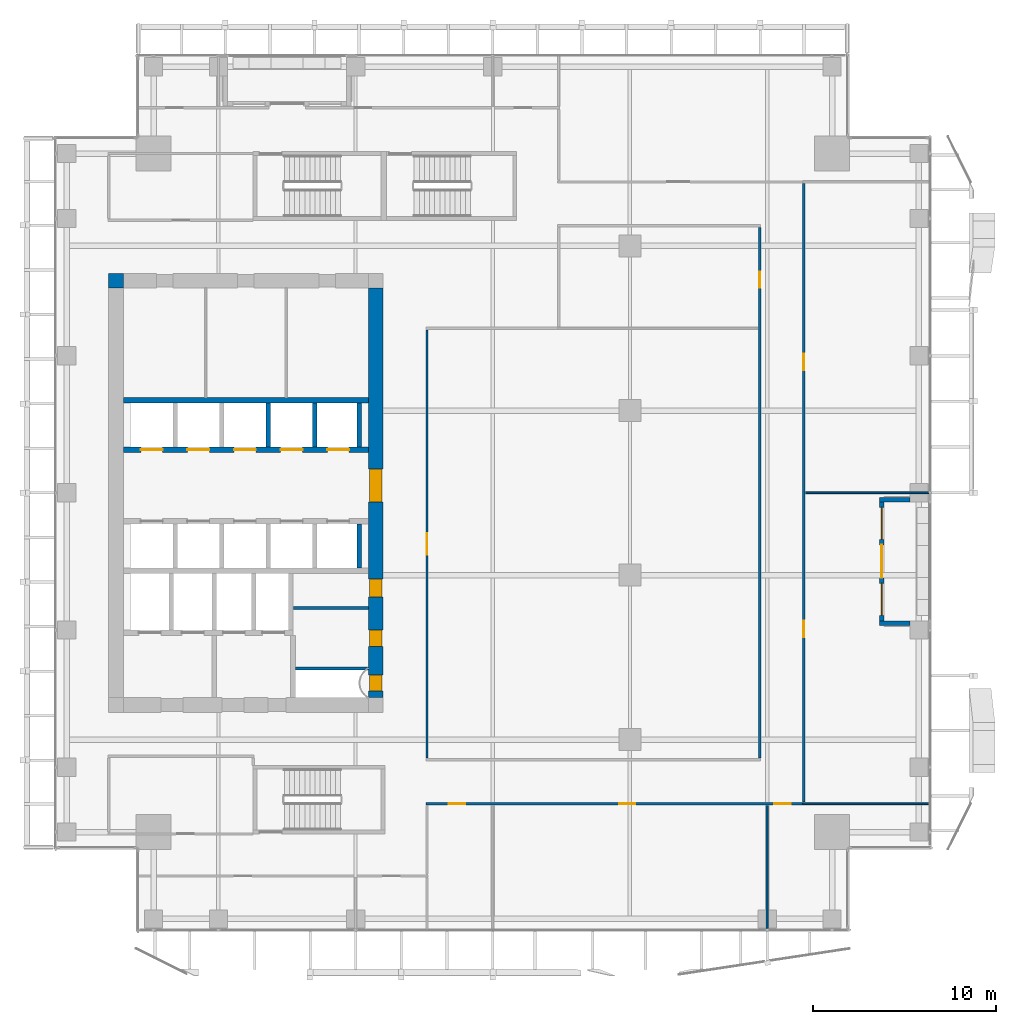
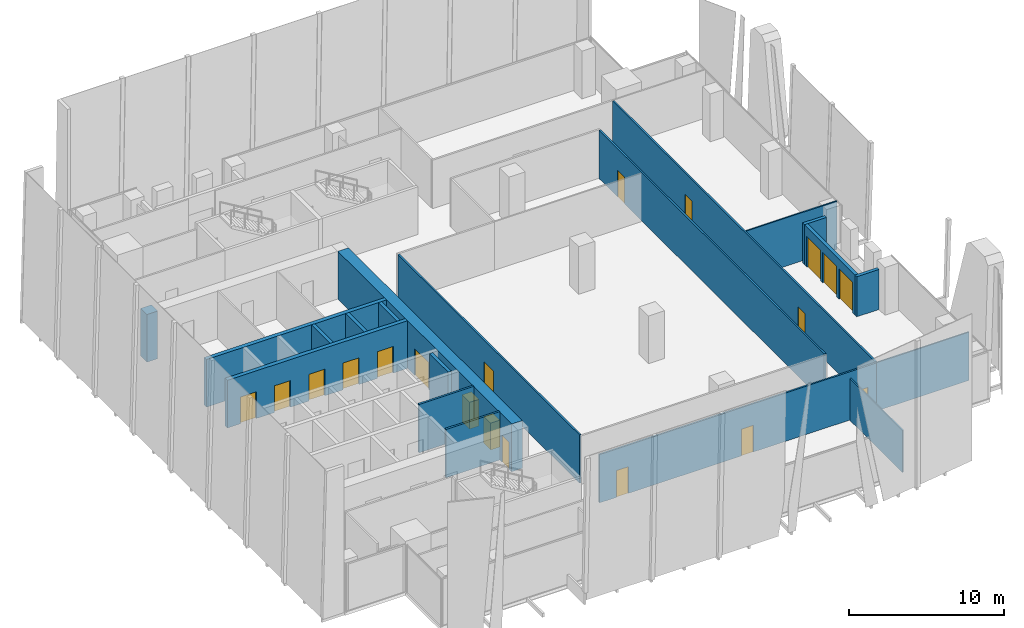
# One storey, part 29 of 35: 20 walls, 17 doors, 2 windows, 19 openings.
"""IFC4 building model written with IfcOpenShell, lengths in metres."""

from ifc_helpers import new_model, si_unit, direction, frame, frame_2d, origin, place, context, subcontext, project, spatial, rectangle, extrude, source, transform, mapped, material, layer, layer_set, type_object, element, fill, save


model = new_model("IFC4")

# Units and contexts
model_context = context("Model", 3, precision=1e-05, world=origin(), true_north=direction((0.0, 1.0)))
body_context = subcontext(model_context, "Body", "Model", "MODEL_VIEW")
ifc_project = project(units=[si_unit("LENGTHUNIT", "METRE"), si_unit("AREAUNIT", "SQUARE_METRE"), si_unit("VOLUMEUNIT", "CUBIC_METRE"), si_unit("PLANEANGLEUNIT", "RADIAN"), si_unit("MASSUNIT", "GRAM", prefix="KILO")], contexts=[model_context])

# Site, building, storey
site_placement = place(None, origin())
site = spatial("IfcSite", under=ifc_project, at=site_placement, CompositionType="ELEMENT")
building_placement = place(site_placement, origin())
building = spatial("IfcBuilding", under=site, at=building_placement, Name="Khomas Fold Tower", CompositionType="ELEMENT")
storey_placement = place(building_placement, frame((0.0, 0.0, 200.699951171875)))
storey = spatial("IfcBuildingStorey", under=building, at=storey_placement, Name="L44", CompositionType="ELEMENT", Elevation=200.699951171875)

# Wall
ifc_material_1 = material(Name="Concrete C60/75", Category="concrete")
ifc_layer_1 = layer(ifc_material_1, 0.800048828125)
ifc_layer_set_1 = layer_set([ifc_layer_1], Name="Concrete C60/75")
wall_type_1 = type_object("IfcWallType", Name="Core corner wall 800", PredefinedType="SHEAR", material=ifc_layer_set_1)
shared_shape_1 = source(origin(), body_context, "Body", "SweptSolid", [
    extrude(rectangle(XDim=0.800048828125, YDim=0.800048828125, at=frame_2d((0.39990234375, 0.0))), origin(), (0.0, 0.0, 1.0), 3.75),
])
wall_1_placement = place(storey_placement, frame((6.0, 38.60009765625, 0.0), z_axis=(0.0, 0.0, 1.0), x_axis=(1.0, 0.0, 0.0)))
element("IfcWall", 1, at=wall_1_placement, inside=storey, type_object=wall_type_1, Name="Core wall CW-U-NW-L35", PredefinedType="SHEAR", context=body_context, shape_type="MappedRepresentation", body=[
    mapped(shared_shape_1, transform((0.0, 0.0, 0.0))),
])

# Wall, openings, doors
ifc_material_2 = material(Name="Concrete C60/75", Category="concrete")
ifc_layer_2 = layer(ifc_material_2, 0.800048828125)
ifc_layer_set_2 = layer_set([ifc_layer_2], Name="Concrete C60/75")
wall_type_2 = type_object("IfcWallType", Name="Core wall 800", PredefinedType="SHEAR", material=ifc_layer_set_2)
shared_shape_2 = source(origin(), body_context, "Body", "SweptSolid", [
    extrude(rectangle(XDim=22.39990234375, YDim=0.800048828125, at=frame_2d((11.199951171875, 0.0))), origin(), (0.0, 0.0, 1.0), 3.75),
])
wall_2_placement = place(storey_placement, frame((20.60009765625, 15.800048828125, 0.0), z_axis=(0.0, 0.0, 1.0), x_axis=(0.0, 1.0, 0.0)))
wall_2 = element("IfcWall", 2, at=wall_2_placement, inside=storey, type_object=wall_type_2, Name="Core wall CW-U-E-L35", PredefinedType="SHEAR", context=body_context, shape_type="MappedRepresentation", body=[
    mapped(shared_shape_2, transform((0.0, 0.0, 0.0))),
])
shared_shape_3 = source(origin(), body_context, "Body", "SweptSolid", [
    extrude(rectangle(XDim=1.800048828125, YDim=2.10009765625, at=frame_2d((0.89990234375, 1.050048828125))), frame((0.0, 0.409912109375, 0.0), z_axis=(0.0, -1.0, 0.0), x_axis=(1.0, 0.0, 0.0)), (0.0, 0.0, 1.0), 0.820068359375),
])
opening_1_placement = place(wall_2_placement, frame((10.699951171875, 0.0, 0.0)))
opening_1 = element("IfcOpeningElement", 3, at=opening_1_placement, cuts=wall_2, Name="Opening 0015", PredefinedType="OPENING", context=body_context, shape_type="MappedRepresentation", body=[
    mapped(shared_shape_3, transform((0.0, 0.0, 0.0))),
])
shared_shape_4 = source(origin(), body_context, "Body", "SweptSolid", [
    extrude(rectangle(XDim=0.89990234375, YDim=2.10009765625, at=frame_2d((0.449951171875, 1.050048828125))), frame((0.0, 0.409912109375, 0.0), z_axis=(0.0, -1.0, 0.0), x_axis=(1.0, 0.0, 0.0)), (0.0, 0.0, 1.0), 0.820068359375),
])
opening_2_placement = place(wall_2_placement, frame((0.35009765625, 0.0, 0.0)))
opening_2 = element("IfcOpeningElement", 4, at=opening_2_placement, cuts=wall_2, Name="Opening 0003", PredefinedType="OPENING", context=body_context, shape_type="MappedRepresentation", body=[
    mapped(shared_shape_4, transform((0.0, 0.0, 0.0))),
])
opening_3_placement = place(wall_2_placement, frame((2.800048828125, 0.0, 0.0)))
opening_3 = element("IfcOpeningElement", 5, at=opening_3_placement, cuts=wall_2, Name="Opening 0003", PredefinedType="OPENING", context=body_context, shape_type="MappedRepresentation", body=[
    mapped(shared_shape_4, transform((0.0, 0.0, 0.0))),
])
shared_shape_5 = source(origin(), body_context, "Body", "SweptSolid", [
    extrude(rectangle(XDim=1.0, YDim=2.10009765625, at=frame_2d((0.5, 1.050048828125))), frame((0.0, 0.409912109375, 0.0), z_axis=(0.0, -1.0, 0.0), x_axis=(1.0, 0.0, 0.0)), (0.0, 0.0, 1.0), 0.820068359375),
])
opening_4_placement = place(wall_2_placement, frame((5.5, 0.0, 0.0)))
opening_4 = element("IfcOpeningElement", 6, at=opening_4_placement, cuts=wall_2, Name="Opening 0006", PredefinedType="OPENING", context=body_context, shape_type="MappedRepresentation", body=[
    mapped(shared_shape_5, transform((0.0, 0.0, 0.0))),
])
ifc_material_3 = material(Name="Steel door leaf", Category="steel")
door_type_1 = type_object("IfcDoorType", Name="Lobby door 1800x2100", OperationType="DOUBLE_DOOR_SINGLE_SWING", PredefinedType="DOOR", material=ifc_material_3)
shared_shape_6 = source(origin(), body_context, "Body", "SweptSolid", [
    extrude(rectangle(XDim=1.800048828125, YDim=2.10009765625, at=frame_2d((0.89990234375, 1.050048828125))), frame((0.0, 0.35009765625, 0.0), z_axis=(0.0, -1.0, 0.0), x_axis=(1.0, 0.0, 0.0)), (0.0, 0.0, 1.0), 0.699951171875),
])
door_1_placement = place(opening_1_placement, origin())
door_1 = element("IfcDoor", 7, at=door_1_placement, inside=storey, type_object=door_type_1, Name="Lobby door", OperationType="DOUBLE_DOOR_SINGLE_SWING", OverallHeight=2.10009765625, OverallWidth=1.800048828125, PredefinedType="DOOR", context=body_context, shape_type="MappedRepresentation", body=[
    mapped(shared_shape_6, transform((0.0, 0.0, 0.0))),
])
fill(opening_1, door_1)
ifc_material_4 = material(Name="Steel door leaf", Category="steel")
door_type_2 = type_object("IfcDoorType", Name="Plant room door 900x2100 right-hand", OperationType="SINGLE_SWING_RIGHT", PredefinedType="DOOR", material=ifc_material_4)
shared_shape_7 = source(origin(), body_context, "Body", "SweptSolid", [
    extrude(rectangle(XDim=0.89990234375, YDim=2.10009765625, at=frame_2d((0.449951171875, 1.050048828125))), frame((0.0, 0.35009765625, 0.0), z_axis=(0.0, -1.0, 0.0), x_axis=(1.0, 0.0, 0.0)), (0.0, 0.0, 1.0), 0.699951171875),
])
door_2_placement = place(opening_2_placement, origin())
door_2 = element("IfcDoor", 8, at=door_2_placement, inside=storey, type_object=door_type_2, Name="Plant room door", OperationType="SINGLE_SWING_RIGHT", OverallHeight=2.10009765625, OverallWidth=0.89990234375, PredefinedType="DOOR", context=body_context, shape_type="MappedRepresentation", body=[
    mapped(shared_shape_7, transform((0.0, 0.0, 0.0))),
])
fill(opening_2, door_2)
door_3_placement = place(opening_3_placement, origin())
door_3 = element("IfcDoor", 9, at=door_3_placement, inside=storey, type_object=door_type_2, Name="Plant room door", OperationType="SINGLE_SWING_RIGHT", OverallHeight=2.10009765625, OverallWidth=0.89990234375, PredefinedType="DOOR", context=body_context, shape_type="MappedRepresentation", body=[
    mapped(shared_shape_7, transform((0.0, 0.0, 0.0))),
])
fill(opening_3, door_3)
ifc_material_5 = material(Name="Timber door leaf", Category="wood")
door_type_3 = type_object("IfcDoorType", Name="WC door 1000x2100 right-hand", OperationType="SINGLE_SWING_RIGHT", PredefinedType="DOOR", material=ifc_material_5)
shared_shape_8 = source(origin(), body_context, "Body", "SweptSolid", [
    extrude(rectangle(XDim=1.0, YDim=2.10009765625, at=frame_2d((0.5, 1.050048828125))), frame((0.0, 0.35009765625, 0.0), z_axis=(0.0, -1.0, 0.0), x_axis=(1.0, 0.0, 0.0)), (0.0, 0.0, 1.0), 0.699951171875),
])
door_4_placement = place(opening_4_placement, origin())
door_4 = element("IfcDoor", 10, at=door_4_placement, inside=storey, type_object=door_type_3, Name="WC door", OperationType="SINGLE_SWING_RIGHT", OverallHeight=2.10009765625, OverallWidth=1.0, PredefinedType="DOOR", context=body_context, shape_type="MappedRepresentation", body=[
    mapped(shared_shape_8, transform((0.0, 0.0, 0.0))),
])
fill(opening_4, door_4)

# Wall
ifc_material_6 = material(Name="Concrete C50/60", Category="concrete")
ifc_layer_3 = layer(ifc_material_6, 0.300048828125)
ifc_layer_set_3 = layer_set([ifc_layer_3], Name="Concrete C50/60")
wall_type_3 = type_object("IfcWallType", Name="Shaft wall 300", PredefinedType="STANDARD", material=ifc_layer_set_3)
shared_shape_9 = source(origin(), body_context, "Body", "SweptSolid", [
    extrude(rectangle(XDim=13.39990234375, YDim=0.300048828125, at=frame_2d((6.699951171875, 0.0))), origin(), (0.0, 0.0, 1.0), 3.75),
])
wall_3_placement = place(storey_placement, frame((6.800048828125, 32.050048828125, 0.0), z_axis=(0.0, 0.0, 1.0), x_axis=(1.0, 0.0, 0.0)))
element("IfcWall", 11, at=wall_3_placement, inside=storey, type_object=wall_type_3, Name="Core wall SW-HRN-B", PredefinedType="STANDARD", context=body_context, shape_type="MappedRepresentation", body=[
    mapped(shared_shape_9, transform((0.0, 0.0, 0.0))),
])

# Wall, openings, doors
wall_4_placement = place(storey_placement, frame((6.800048828125, 29.35009765625, 0.0), z_axis=(0.0, 0.0, 1.0), x_axis=(1.0, 0.0, 0.0)))
wall_4 = element("IfcWall", 12, at=wall_4_placement, inside=storey, type_object=wall_type_3, Name="Core wall SW-HRN-F", PredefinedType="STANDARD", context=body_context, shape_type="MappedRepresentation", body=[
    mapped(shared_shape_9, transform((0.0, 0.0, 0.0))),
])
shared_shape_10 = source(origin(), body_context, "Body", "SweptSolid", [
    extrude(rectangle(XDim=1.199951171875, YDim=2.10009765625, at=frame_2d((0.60009765625, 1.050048828125))), frame((0.0, 0.159912109375, 0.0), z_axis=(0.0, -1.0, 0.0), x_axis=(1.0, 0.0, 0.0)), (0.0, 0.0, 1.0), 0.320068359375),
])
opening_5_placement = place(wall_4_placement, frame((0.949951171875, 0.0, 0.0)))
opening_5 = element("IfcOpeningElement", 13, at=opening_5_placement, cuts=wall_4, Name="Opening LD-HR4", PredefinedType="OPENING", context=body_context, shape_type="MappedRepresentation", body=[
    mapped(shared_shape_10, transform((0.0, 0.0, 0.0))),
])
opening_6_placement = place(wall_4_placement, frame((3.5, 0.0, 0.0)))
opening_6 = element("IfcOpeningElement", 14, at=opening_6_placement, cuts=wall_4, Name="Opening LD-HR5", PredefinedType="OPENING", context=body_context, shape_type="MappedRepresentation", body=[
    mapped(shared_shape_10, transform((0.0, 0.0, 0.0))),
])
opening_7_placement = place(wall_4_placement, frame((6.050048828125, 0.0, 0.0)))
opening_7 = element("IfcOpeningElement", 15, at=opening_7_placement, cuts=wall_4, Name="Opening LD-HR6", PredefinedType="OPENING", context=body_context, shape_type="MappedRepresentation", body=[
    mapped(shared_shape_10, transform((0.0, 0.0, 0.0))),
])
opening_8_placement = place(wall_4_placement, frame((8.60009765625, 0.0, 0.0)))
opening_8 = element("IfcOpeningElement", 16, at=opening_8_placement, cuts=wall_4, Name="Opening LD-MR3", PredefinedType="OPENING", context=body_context, shape_type="MappedRepresentation", body=[
    mapped(shared_shape_10, transform((0.0, 0.0, 0.0))),
])
opening_9_placement = place(wall_4_placement, frame((11.14990234375, 0.0, 0.0)))
opening_9 = element("IfcOpeningElement", 17, at=opening_9_placement, cuts=wall_4, Name="Opening LD-MR4", PredefinedType="OPENING", context=body_context, shape_type="MappedRepresentation", body=[
    mapped(shared_shape_10, transform((0.0, 0.0, 0.0))),
])
ifc_material_7 = material(Name="Steel door leaf", Category="steel")
door_type_4 = type_object("IfcDoorType", Name="Landing door 1200x2100", OperationType="DOUBLE_DOOR_SLIDING", PredefinedType="DOOR", material=ifc_material_7)
shared_shape_11 = source(origin(), body_context, "Body", "SweptSolid", [
    extrude(rectangle(XDim=1.199951171875, YDim=2.10009765625, at=frame_2d((0.60009765625, 1.050048828125))), frame((0.0, 0.02490234375, 0.0), z_axis=(0.0, -1.0, 0.0), x_axis=(1.0, 0.0, 0.0)), (0.0, 0.0, 1.0), 0.050048828125),
])
door_5_placement = place(opening_5_placement, origin())
door_5 = element("IfcDoor", 18, at=door_5_placement, inside=storey, type_object=door_type_4, Name="Lift landing door", OperationType="DOUBLE_DOOR_SLIDING", OverallHeight=2.10009765625, OverallWidth=1.199951171875, PredefinedType="DOOR", context=body_context, shape_type="MappedRepresentation", body=[
    mapped(shared_shape_11, transform((0.0, 0.0, 0.0))),
])
fill(opening_5, door_5)
door_6_placement = place(opening_6_placement, origin())
door_6 = element("IfcDoor", 19, at=door_6_placement, inside=storey, type_object=door_type_4, Name="Lift landing door", OperationType="DOUBLE_DOOR_SLIDING", OverallHeight=2.10009765625, OverallWidth=1.199951171875, PredefinedType="DOOR", context=body_context, shape_type="MappedRepresentation", body=[
    mapped(shared_shape_11, transform((0.0, 0.0, 0.0))),
])
fill(opening_6, door_6)
door_7_placement = place(opening_7_placement, origin())
door_7 = element("IfcDoor", 20, at=door_7_placement, inside=storey, type_object=door_type_4, Name="Lift landing door", OperationType="DOUBLE_DOOR_SLIDING", OverallHeight=2.10009765625, OverallWidth=1.199951171875, PredefinedType="DOOR", context=body_context, shape_type="MappedRepresentation", body=[
    mapped(shared_shape_11, transform((0.0, 0.0, 0.0))),
])
fill(opening_7, door_7)
door_8_placement = place(opening_8_placement, origin())
door_8 = element("IfcDoor", 21, at=door_8_placement, inside=storey, type_object=door_type_4, Name="Lift landing door", OperationType="DOUBLE_DOOR_SLIDING", OverallHeight=2.10009765625, OverallWidth=1.199951171875, PredefinedType="DOOR", context=body_context, shape_type="MappedRepresentation", body=[
    mapped(shared_shape_11, transform((0.0, 0.0, 0.0))),
])
fill(opening_8, door_8)
door_9_placement = place(opening_9_placement, origin())
door_9 = element("IfcDoor", 22, at=door_9_placement, inside=storey, type_object=door_type_4, Name="Lift landing door", OperationType="DOUBLE_DOOR_SLIDING", OverallHeight=2.10009765625, OverallWidth=1.199951171875, PredefinedType="DOOR", context=body_context, shape_type="MappedRepresentation", body=[
    mapped(shared_shape_11, transform((0.0, 0.0, 0.0))),
])
fill(opening_9, door_9)

# Walls
ifc_material_8 = material(Name="Concrete C50/60", Category="concrete")
ifc_layer_4 = layer(ifc_material_8, 0.25)
ifc_layer_set_4 = layer_set([ifc_layer_4], Name="Concrete C50/60")
wall_type_4 = type_object("IfcWallType", Name="Shaft wall 250", PredefinedType="STANDARD", material=ifc_layer_set_4)
shared_shape_12 = source(origin(), body_context, "Body", "SweptSolid", [
    extrude(rectangle(XDim=2.39990234375, YDim=0.25, at=frame_2d((1.199951171875, 0.0))), origin(), (0.0, 0.0, 1.0), 3.75),
])
for number, where, z_axis, x_axis, name in (
    (23, (17.27490234375, 29.5, 0.0), (0.0, 0.0, 1.0), (0.0, 1.0, 0.0), "Core wall SW-HRN-MR-P1"),
    (24, (19.699951171875, 29.5, 0.0), (0.0, 0.0, 1.0), (0.0, 1.0, 0.0), "Core wall SW-HRN-MR-PE"),
    (25, (14.72509765625, 29.5, 0.0), (0.0, 0.0, 1.0), (0.0, 1.0, 0.0), "Core wall SW-HRN-PE"),
):
    element("IfcWall", number, at=place(storey_placement, frame(where, z_axis=z_axis, x_axis=x_axis)), inside=storey, type_object=wall_type_4, Name=name, PredefinedType="STANDARD", context=body_context, shape_type="MappedRepresentation", body=[
        mapped(shared_shape_12, transform((0.0, 0.0, 0.0))),
    ])
shared_shape_13 = source(origin(), body_context, "Body", "SweptSolid", [
    extrude(rectangle(XDim=2.400146484375, YDim=0.25, at=frame_2d((1.2001953125, 0.0))), origin(), (0.0, 0.0, 1.0), 3.75),
])
wall_5_placement = place(storey_placement, frame((19.699951171875, 22.89990234375, 0.0), z_axis=(0.0, 0.0, 1.0), x_axis=(0.0, 1.0, 0.0)))
element("IfcWall", 26, at=wall_5_placement, inside=storey, type_object=wall_type_4, Name="Core wall SW-HRS-MR-PE", PredefinedType="STANDARD", context=body_context, shape_type="MappedRepresentation", body=[
    mapped(shared_shape_13, transform((0.0, 0.0, 0.0))),
])

# Wall, openings, door, windows
ifc_material_9 = material(Name="Natural stone", Category="masonry")
ifc_layer_5 = layer(ifc_material_9, 0.0400390625)
ifc_material_10 = material(Name="Mineral wool insulation", Category="insulation")
ifc_layer_6 = layer(ifc_material_10, 0.10009765625)
ifc_material_11 = material(Name="Masonry", Category="masonry")
ifc_layer_7 = layer(ifc_material_11, 0.110107421875)
ifc_layer_set_5 = layer_set([ifc_layer_5, ifc_layer_6, ifc_layer_7], Name="Stone-faced insulated masonry")
wall_type_5 = type_object("IfcWallType", Name="BL-Balcony wall", PredefinedType="SOLIDWALL", material=ifc_layer_set_5)
shared_shape_14 = source(origin(), body_context, "Body", "SweptSolid", [
    extrude(rectangle(XDim=6.5, YDim=0.25, at=frame_2d((3.25, 0.0))), origin(), (0.0, 0.0, 1.0), 3.150146484375),
])
wall_6_placement = place(storey_placement, frame((48.27490234375, 20.0, 0.0), z_axis=(0.0, 0.0, 1.0), x_axis=(0.0, 1.0, 0.0)))
wall_6 = element("IfcWall", 27, at=wall_6_placement, inside=storey, type_object=wall_type_5, Name="Balcony wall BAL-L44-E2", PredefinedType="SOLIDWALL", context=body_context, shape_type="MappedRepresentation", body=[
    mapped(shared_shape_14, transform((0.0, 0.0, 0.0))),
])
shared_shape_15 = source(origin(), body_context, "Body", "SweptSolid", [
    extrude(rectangle(XDim=1.75, YDim=2.39990234375, at=frame_2d((0.875, 1.199951171875))), frame((0.0, 0.135009765625, 0.0), z_axis=(0.0, -1.0, 0.0), x_axis=(1.0, 0.0, 0.0)), (0.0, 0.0, 1.0), 0.27001953125),
])
opening_10_placement = place(wall_6_placement, frame((0.300048828125, 0.0, 0.0)))
opening_10 = element("IfcOpeningElement", 28, at=opening_10_placement, cuts=wall_6, Name="Opening BL-W3", PredefinedType="OPENING", context=body_context, shape_type="MappedRepresentation", body=[
    mapped(shared_shape_15, transform((0.0, 0.0, 0.0))),
])
opening_11_placement = place(wall_6_placement, frame((4.449951171875, 0.0, 0.0)))
opening_11 = element("IfcOpeningElement", 29, at=opening_11_placement, cuts=wall_6, Name="Opening BL-W3", PredefinedType="OPENING", context=body_context, shape_type="MappedRepresentation", body=[
    mapped(shared_shape_15, transform((0.0, 0.0, 0.0))),
])
shared_shape_16 = source(origin(), body_context, "Body", "SweptSolid", [
    extrude(rectangle(XDim=1.800048828125, YDim=2.39990234375, at=frame_2d((0.89990234375, 1.199951171875))), frame((0.0, 0.135009765625, 0.0), z_axis=(0.0, -1.0, 0.0), x_axis=(1.0, 0.0, 0.0)), (0.0, 0.0, 1.0), 0.27001953125),
])
opening_12_placement = place(wall_6_placement, frame((2.35009765625, 0.0, 0.0)))
opening_12 = element("IfcOpeningElement", 30, at=opening_12_placement, cuts=wall_6, Name="Opening BD441", PredefinedType="OPENING", context=body_context, shape_type="MappedRepresentation", body=[
    mapped(shared_shape_16, transform((0.0, 0.0, 0.0))),
])
ifc_material_12 = material(Name="Aluminium framed double glazing", Category="aluminium")
door_type_5 = type_object("IfcDoorType", Name="BL-Glazed balcony door 1800 x 2400", OperationType="DOUBLE_DOOR_DOUBLE_SWING", PredefinedType="DOOR", material=ifc_material_12)
shared_shape_17 = source(origin(), body_context, "Body", "SweptSolid", [
    extrude(rectangle(XDim=1.800048828125, YDim=2.39990234375, at=frame_2d((0.89990234375, 1.199951171875))), frame((0.0, 0.02490234375, 0.0), z_axis=(0.0, -1.0, 0.0), x_axis=(1.0, 0.0, 0.0)), (0.0, 0.0, 1.0), 0.050048828125),
])
door_10_placement = place(opening_12_placement, origin())
door_10 = element("IfcDoor", 31, at=door_10_placement, inside=storey, type_object=door_type_5, Name="Balcony door BD441", OperationType="DOUBLE_DOOR_DOUBLE_SWING", OverallHeight=2.39990234375, OverallWidth=1.800048828125, PredefinedType="DOOR", context=body_context, shape_type="MappedRepresentation", body=[
    mapped(shared_shape_17, transform((0.0, 0.0, 0.0))),
])
fill(opening_12, door_10)
ifc_material_13 = material(Name="Aluminium framed double glazing", Category="aluminium")
window_type = type_object("IfcWindowType", Name="BL-Fixed glazing 1750 x 2400", PartitioningType="SINGLE_PANEL", PredefinedType="WINDOW", material=ifc_material_13)
shared_shape_18 = source(origin(), body_context, "Body", "SweptSolid", [
    extrude(rectangle(XDim=1.75, YDim=2.39990234375, at=frame_2d((0.875, 1.199951171875))), frame((0.0, 0.030029296875, 0.0), z_axis=(0.0, -1.0, 0.0), x_axis=(1.0, 0.0, 0.0)), (0.0, 0.0, 1.0), 0.06005859375),
])
window_1_placement = place(opening_10_placement, origin())
window_1 = element("IfcWindow", 32, at=window_1_placement, inside=storey, type_object=window_type, Name="Balcony glazing BAL-L44-E2-1", OverallHeight=2.39990234375, OverallWidth=1.75, PartitioningType="SINGLE_PANEL", PredefinedType="WINDOW", context=body_context, shape_type="MappedRepresentation", body=[
    mapped(shared_shape_18, transform((0.0, 0.0, 0.0))),
])
fill(opening_10, window_1)
window_2_placement = place(opening_11_placement, origin())
window_2 = element("IfcWindow", 33, at=window_2_placement, inside=storey, type_object=window_type, Name="Balcony glazing BAL-L44-E2-2", OverallHeight=2.39990234375, OverallWidth=1.75, PartitioningType="SINGLE_PANEL", PredefinedType="WINDOW", context=body_context, shape_type="MappedRepresentation", body=[
    mapped(shared_shape_18, transform((0.0, 0.0, 0.0))),
])
fill(opening_11, window_2)

# Walls
shared_shape_19 = source(origin(), body_context, "Body", "SweptSolid", [
    extrude(rectangle(XDim=1.650146484375, YDim=0.25, at=frame_2d((0.8251953125, 0.0))), origin(), (0.0, 0.0, 1.0), 3.150146484375),
])
for number, where, z_axis, x_axis, name in (
    (34, (49.800048828125, 19.875, 0.0), (0.0, 0.0, 1.0), (-1.0, 0.0, 0.0), "Balcony return wall BAL-L44-E2-lo"),
    (35, (49.800048828125, 26.625, 0.0), (0.0, 0.0, 1.0), (-1.0, 0.0, 0.0), "Balcony return wall BAL-L44-E2-hi"),
):
    element("IfcWall", number, at=place(storey_placement, frame(where, z_axis=z_axis, x_axis=x_axis)), inside=storey, type_object=wall_type_5, Name=name, PredefinedType="SOLIDWALL", context=body_context, shape_type="MappedRepresentation", body=[
        mapped(shared_shape_19, transform((0.0, 0.0, 0.0))),
    ])
ifc_material_14 = material(Name="Plasterboard fire partition")
ifc_layer_8 = layer(ifc_material_14, 0.14990234375)
ifc_layer_set_6 = layer_set([ifc_layer_8], Name="Plasterboard fire partition")
wall_type_6 = type_object("IfcWallType", Name="Plant room wall PW3 150", PredefinedType="PARTITIONING", material=ifc_layer_set_6)
shared_shape_20 = source(origin(), body_context, "Body", "SweptSolid", [
    extrude(rectangle(XDim=4.0, YDim=0.14990234375, at=frame_2d((2.0, 0.0))), origin(), (0.0, 0.0, 1.0), 3.800048828125),
])
wall_7_placement = place(storey_placement, frame((16.199951171875, 17.39990234375, 0.0), z_axis=(0.0, 0.0, 1.0), x_axis=(1.0, 0.0, 0.0)))
element("IfcWall", 36, at=wall_7_placement, inside=storey, type_object=wall_type_6, Name="Plant room wall", PredefinedType="PARTITIONING", context=body_context, shape_type="MappedRepresentation", body=[
    mapped(shared_shape_20, transform((0.0, 0.0, 0.0))),
])
ifc_material_15 = material(Name="Plasterboard partition")
ifc_layer_9 = layer(ifc_material_15, 0.10009765625)
ifc_layer_set_7 = layer_set([ifc_layer_9], Name="Plasterboard partition")
wall_type_7 = type_object("IfcWallType", Name="Partition PW1 100", PredefinedType="PARTITIONING", material=ifc_layer_set_7)
shared_shape_21 = source(origin(), body_context, "Body", "SweptSolid", [
    extrude(rectangle(XDim=6.75, YDim=0.10009765625, at=frame_2d((3.375, 0.0))), origin(), (0.0, 0.0, 1.0), 3.800048828125),
])
wall_8_placement = place(storey_placement, frame((44.10009765625, 27.0, 0.0), z_axis=(0.0, 0.0, 1.0), x_axis=(1.0, 0.0, 0.0)))
element("IfcWall", 37, at=wall_8_placement, inside=storey, type_object=wall_type_7, Name="Partition", PredefinedType="PARTITIONING", context=body_context, shape_type="MappedRepresentation", body=[
    mapped(shared_shape_21, transform((0.0, 0.0, 0.0))),
])
shared_shape_22 = source(origin(), body_context, "Body", "SweptSolid", [
    extrude(rectangle(XDim=6.75, YDim=0.10009765625, at=frame_2d((3.375, 0.0))), origin(), (0.0, 0.0, 1.0), 3.300048828125),
])
wall_9_placement = place(storey_placement, frame((42.0, 3.14990234375, 0.0), z_axis=(0.0, 0.0, 1.0), x_axis=(0.0, 1.0, 0.0)))
element("IfcWall", 38, at=wall_9_placement, inside=storey, type_object=wall_type_7, Name="Partition", PredefinedType="PARTITIONING", context=body_context, shape_type="MappedRepresentation", body=[
    mapped(shared_shape_22, transform((0.0, 0.0, 0.0))),
])

# Wall, openings, doors
ifc_material_16 = material(Name="Plasterboard partition")
ifc_layer_10 = layer(ifc_material_16, 0.125)
ifc_layer_set_8 = layer_set([ifc_layer_10], Name="Plasterboard partition")
wall_type_8 = type_object("IfcWallType", Name="Partition PW2 125", PredefinedType="PARTITIONING", material=ifc_layer_set_8)
shared_shape_23 = source(origin(), body_context, "Body", "SweptSolid", [
    extrude(rectangle(XDim=20.599853515625, YDim=0.125, at=frame_2d((10.2998046875, 0.0))), origin(), (0.0, 0.0, 1.0), 3.800048828125),
])
wall_10_placement = place(storey_placement, frame((23.35009765625, 10.0, 0.0), z_axis=(0.0, 0.0, 1.0), x_axis=(1.0, 0.0, 0.0)))
wall_10 = element("IfcWall", 39, at=wall_10_placement, inside=storey, type_object=wall_type_8, Name="Partition", PredefinedType="PARTITIONING", context=body_context, shape_type="MappedRepresentation", body=[
    mapped(shared_shape_23, transform((0.0, 0.0, 0.0))),
])
shared_shape_24 = source(origin(), body_context, "Body", "SweptSolid", [
    extrude(rectangle(XDim=0.89990234375, YDim=2.10009765625, at=frame_2d((0.449951171875, 1.050048828125))), frame((0.0, 0.072509765625, 0.0), z_axis=(0.0, -1.0, 0.0), x_axis=(1.0, 0.0, 0.0)), (0.0, 0.0, 1.0), 0.14501953125),
])
opening_13_placement = place(wall_10_placement, frame((1.25, 0.0, 0.0)))
opening_13 = element("IfcOpeningElement", 40, at=opening_13_placement, cuts=wall_10, Name="Opening 0007", PredefinedType="OPENING", context=body_context, shape_type="MappedRepresentation", body=[
    mapped(shared_shape_24, transform((0.0, 0.0, 0.0))),
])
opening_14_placement = place(wall_10_placement, frame((10.550048828125, 0.0, 0.0)))
opening_14 = element("IfcOpeningElement", 41, at=opening_14_placement, cuts=wall_10, Name="Opening 0007", PredefinedType="OPENING", context=body_context, shape_type="MappedRepresentation", body=[
    mapped(shared_shape_24, transform((0.0, 0.0, 0.0))),
])
opening_15_placement = place(wall_10_placement, frame((19.050048828125, 0.0, 0.0)))
opening_15 = element("IfcOpeningElement", 42, at=opening_15_placement, cuts=wall_10, Name="Opening 0007", PredefinedType="OPENING", context=body_context, shape_type="MappedRepresentation", body=[
    mapped(shared_shape_24, transform((0.0, 0.0, 0.0))),
])
ifc_material_17 = material(Name="Timber door leaf", Category="wood")
door_type_6 = type_object("IfcDoorType", Name="Door 900x2100 left-hand", OperationType="SINGLE_SWING_LEFT", PredefinedType="DOOR", material=ifc_material_17)
shared_shape_25 = source(origin(), body_context, "Body", "SweptSolid", [
    extrude(rectangle(XDim=0.89990234375, YDim=2.10009765625, at=frame_2d((0.449951171875, 1.050048828125))), frame((0.0, 0.02490234375, 0.0), z_axis=(0.0, -1.0, 0.0), x_axis=(1.0, 0.0, 0.0)), (0.0, 0.0, 1.0), 0.050048828125),
])
door_11_placement = place(opening_13_placement, origin())
door_11 = element("IfcDoor", 43, at=door_11_placement, inside=storey, type_object=door_type_6, Name="Door", OperationType="SINGLE_SWING_LEFT", OverallHeight=2.10009765625, OverallWidth=0.89990234375, PredefinedType="DOOR", context=body_context, shape_type="MappedRepresentation", body=[
    mapped(shared_shape_25, transform((0.0, 0.0, 0.0))),
])
fill(opening_13, door_11)
door_12_placement = place(opening_14_placement, origin())
door_12 = element("IfcDoor", 44, at=door_12_placement, inside=storey, type_object=door_type_6, Name="Door", OperationType="SINGLE_SWING_LEFT", OverallHeight=2.10009765625, OverallWidth=0.89990234375, PredefinedType="DOOR", context=body_context, shape_type="MappedRepresentation", body=[
    mapped(shared_shape_25, transform((0.0, 0.0, 0.0))),
])
fill(opening_14, door_12)
door_13_placement = place(opening_15_placement, origin())
door_13 = element("IfcDoor", 45, at=door_13_placement, inside=storey, type_object=door_type_6, Name="Door", OperationType="SINGLE_SWING_LEFT", OverallHeight=2.10009765625, OverallWidth=0.89990234375, PredefinedType="DOOR", context=body_context, shape_type="MappedRepresentation", body=[
    mapped(shared_shape_25, transform((0.0, 0.0, 0.0))),
])
fill(opening_15, door_13)

# Wall
shared_shape_26 = source(origin(), body_context, "Body", "SweptSolid", [
    extrude(rectangle(XDim=6.900146484375, YDim=0.10009765625, at=frame_2d((3.4501953125, 0.0))), origin(), (0.0, 0.0, 1.0), 3.800048828125),
])
wall_11_placement = place(storey_placement, frame((43.949951171875, 10.0, 0.0), z_axis=(0.0, 0.0, 1.0), x_axis=(1.0, 0.0, 0.0)))
element("IfcWall", 46, at=wall_11_placement, inside=storey, type_object=wall_type_7, Name="Partition", PredefinedType="PARTITIONING", context=body_context, shape_type="MappedRepresentation", body=[
    mapped(shared_shape_26, transform((0.0, 0.0, 0.0))),
])

# Wall, openings, doors
shared_shape_27 = source(origin(), body_context, "Body", "SweptSolid", [
    extrude(rectangle(XDim=33.7998046875, YDim=0.125, at=frame_2d((16.89990234375, 0.0))), origin(), (0.0, 0.0, 1.0), 3.800048828125),
])
wall_12_placement = place(storey_placement, frame((44.0, 10.10009765625, 0.0), z_axis=(0.0, 0.0, 1.0), x_axis=(0.0, 1.0, 0.0)))
wall_12 = element("IfcWall", 47, at=wall_12_placement, inside=storey, type_object=wall_type_8, Name="Partition", PredefinedType="PARTITIONING", context=body_context, shape_type="MappedRepresentation", body=[
    mapped(shared_shape_27, transform((0.0, 0.0, 0.0))),
])
opening_16_placement = place(wall_12_placement, frame((9.0, 0.0, 0.0)))
opening_16 = element("IfcOpeningElement", 48, at=opening_16_placement, cuts=wall_12, Name="Opening 0007", PredefinedType="OPENING", context=body_context, shape_type="MappedRepresentation", body=[
    mapped(shared_shape_24, transform((0.0, 0.0, 0.0))),
])
opening_17_placement = place(wall_12_placement, frame((23.60009765625, 0.0, 0.0)))
opening_17 = element("IfcOpeningElement", 49, at=opening_17_placement, cuts=wall_12, Name="Opening 0007", PredefinedType="OPENING", context=body_context, shape_type="MappedRepresentation", body=[
    mapped(shared_shape_24, transform((0.0, 0.0, 0.0))),
])
door_14_placement = place(opening_16_placement, origin())
door_14 = element("IfcDoor", 50, at=door_14_placement, inside=storey, type_object=door_type_6, Name="Door", OperationType="SINGLE_SWING_LEFT", OverallHeight=2.10009765625, OverallWidth=0.89990234375, PredefinedType="DOOR", context=body_context, shape_type="MappedRepresentation", body=[
    mapped(shared_shape_25, transform((0.0, 0.0, 0.0))),
])
fill(opening_16, door_14)
door_15_placement = place(opening_17_placement, origin())
door_15 = element("IfcDoor", 51, at=door_15_placement, inside=storey, type_object=door_type_6, Name="Door", OperationType="SINGLE_SWING_LEFT", OverallHeight=2.10009765625, OverallWidth=0.89990234375, PredefinedType="DOOR", context=body_context, shape_type="MappedRepresentation", body=[
    mapped(shared_shape_25, transform((0.0, 0.0, 0.0))),
])
fill(opening_17, door_15)

# Wall, opening, door
shared_shape_28 = source(origin(), body_context, "Body", "SweptSolid", [
    extrude(rectangle(XDim=23.39990234375, YDim=0.125, at=frame_2d((11.699951171875, 0.0))), origin(), (0.0, 0.0, 1.0), 3.800048828125),
])
wall_13_placement = place(storey_placement, frame((23.39990234375, 12.5, 0.0), z_axis=(0.0, 0.0, 1.0), x_axis=(0.0, 1.0, 0.0)))
wall_13 = element("IfcWall", 52, at=wall_13_placement, inside=storey, type_object=wall_type_8, Name="Partition", PredefinedType="PARTITIONING", context=body_context, shape_type="MappedRepresentation", body=[
    mapped(shared_shape_28, transform((0.0, 0.0, 0.0))),
])
shared_shape_29 = source(origin(), body_context, "Body", "SweptSolid", [
    extrude(rectangle(XDim=1.199951171875, YDim=2.10009765625, at=frame_2d((0.60009765625, 1.050048828125))), frame((0.0, 0.072509765625, 0.0), z_axis=(0.0, -1.0, 0.0), x_axis=(1.0, 0.0, 0.0)), (0.0, 0.0, 1.0), 0.14501953125),
])
opening_18_placement = place(wall_13_placement, frame((11.10009765625, 0.0, 0.0)))
opening_18 = element("IfcOpeningElement", 53, at=opening_18_placement, cuts=wall_13, Name="Opening 0001", PredefinedType="OPENING", context=body_context, shape_type="MappedRepresentation", body=[
    mapped(shared_shape_29, transform((0.0, 0.0, 0.0))),
])
ifc_material_18 = material(Name="Timber door leaf", Category="wood")
door_type_7 = type_object("IfcDoorType", Name="Door 1200x2100 right-hand", OperationType="SINGLE_SWING_RIGHT", PredefinedType="DOOR", material=ifc_material_18)
door_16_placement = place(opening_18_placement, origin())
door_16 = element("IfcDoor", 54, at=door_16_placement, inside=storey, type_object=door_type_7, Name="Door", OperationType="SINGLE_SWING_RIGHT", OverallHeight=2.10009765625, OverallWidth=1.199951171875, PredefinedType="DOOR", context=body_context, shape_type="MappedRepresentation", body=[
    mapped(shared_shape_11, transform((0.0, 0.0, 0.0))),
])
fill(opening_18, door_16)

shared_shape_30 = source(origin(), body_context, "Body", "SweptSolid", [
    extrude(rectangle(XDim=29.0, YDim=0.125, at=frame_2d((14.5, 0.0))), origin(), (0.0, 0.0, 1.0), 3.800048828125),
])
wall_14_placement = place(storey_placement, frame((41.60009765625, 12.5, 0.0), z_axis=(0.0, 0.0, 1.0), x_axis=(0.0, 1.0, 0.0)))
wall_14 = element("IfcWall", 55, at=wall_14_placement, inside=storey, type_object=wall_type_8, Name="Partition", PredefinedType="PARTITIONING", context=body_context, shape_type="MappedRepresentation", body=[
    mapped(shared_shape_30, transform((0.0, 0.0, 0.0))),
])
opening_19_placement = place(wall_14_placement, frame((25.699951171875, 0.0, 0.0)))
opening_19 = element("IfcOpeningElement", 56, at=opening_19_placement, cuts=wall_14, Name="Opening 0008", PredefinedType="OPENING", context=body_context, shape_type="MappedRepresentation", body=[
    mapped(shared_shape_24, transform((0.0, 0.0, 0.0))),
])
ifc_material_19 = material(Name="Timber door leaf", Category="wood")
door_type_8 = type_object("IfcDoorType", Name="Door 900x2100 right-hand", OperationType="SINGLE_SWING_RIGHT", PredefinedType="DOOR", material=ifc_material_19)
door_17_placement = place(opening_19_placement, origin())
door_17 = element("IfcDoor", 57, at=door_17_placement, inside=storey, type_object=door_type_8, Name="Door", OperationType="SINGLE_SWING_RIGHT", OverallHeight=2.10009765625, OverallWidth=0.89990234375, PredefinedType="DOOR", context=body_context, shape_type="MappedRepresentation", body=[
    mapped(shared_shape_25, transform((0.0, 0.0, 0.0))),
])
fill(opening_19, door_17)

# Wall
shared_shape_31 = source(origin(), body_context, "Body", "SweptSolid", [
    extrude(rectangle(XDim=4.099853515625, YDim=0.14990234375, at=frame_2d((2.0498046875, 0.0))), origin(), (0.0, 0.0, 1.0), 3.800048828125),
])
wall_15_placement = place(storey_placement, frame((16.10009765625, 20.699951171875, 0.0), z_axis=(0.0, 0.0, 1.0), x_axis=(1.0, 0.0, 0.0)))
element("IfcWall", 58, at=wall_15_placement, inside=storey, type_object=wall_type_6, Name="Plant room wall", PredefinedType="PARTITIONING", context=body_context, shape_type="MappedRepresentation", body=[
    mapped(shared_shape_31, transform((0.0, 0.0, 0.0))),
])

save(model, "model.ifc")
